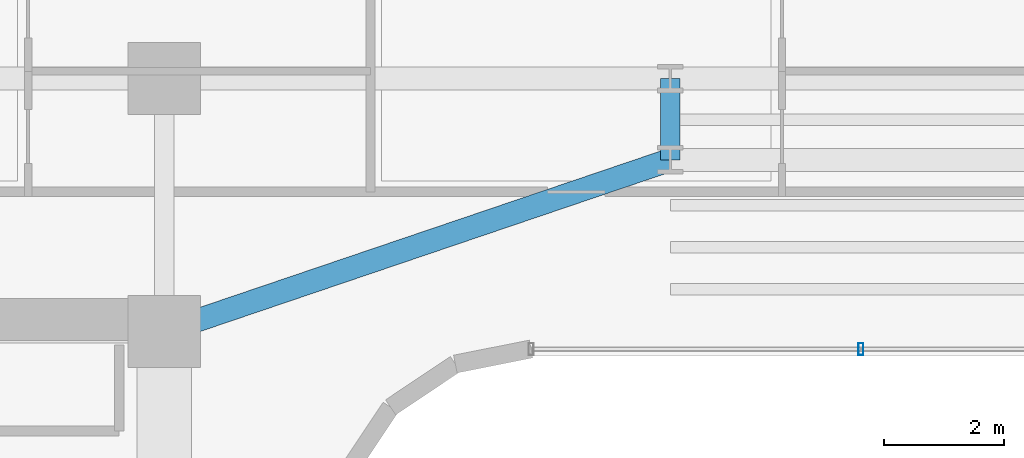
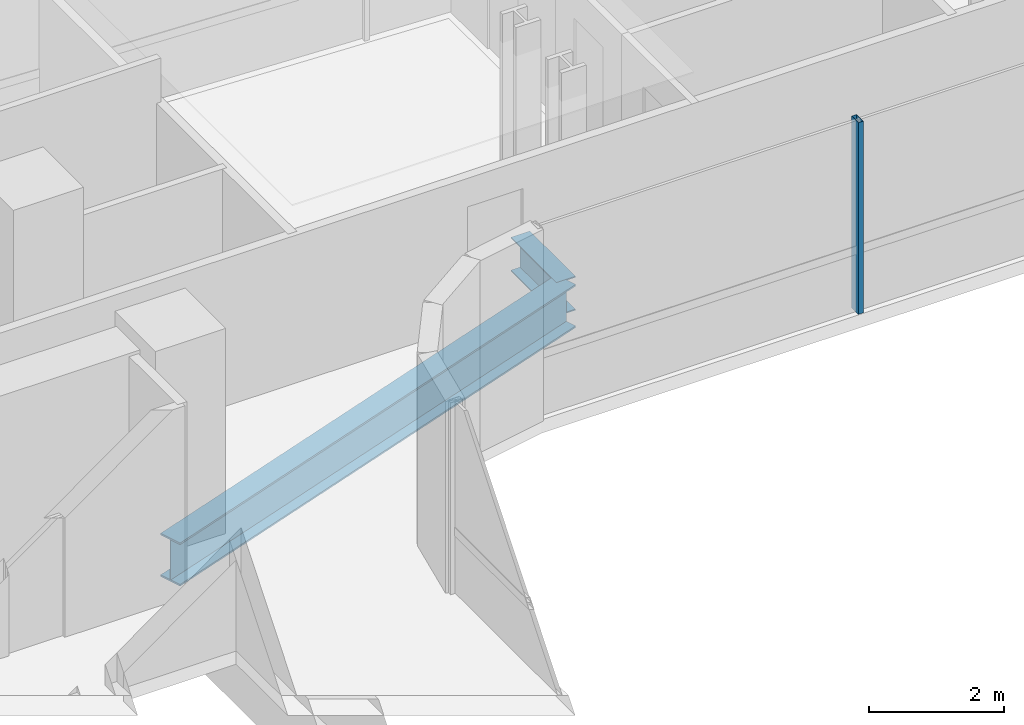
# One storey, part 12 of 37: 2 beams, 1 member, 1 element without a shape of its own.
"""IFC4 building model written with IfcOpenShell, lengths in metres."""

from ifc_helpers import new_model, si_unit, direction, frame, origin, origin_2d, place, context, subcontext, project, spatial, hollow_rectangle, i_section, extrude, source, transform, mapped, material, material_profile, profile_set, type_object, element, aggregate, save


model = new_model("IFC4")

# Units and contexts
model_context = context("Model", 3, precision=1e-05, world=origin(), true_north=direction((0.0, 1.0)))
body_context = subcontext(model_context, "Body", "Model", "MODEL_VIEW")
ifc_project = project(units=[si_unit("LENGTHUNIT", "METRE"), si_unit("AREAUNIT", "SQUARE_METRE"), si_unit("VOLUMEUNIT", "CUBIC_METRE"), si_unit("PLANEANGLEUNIT", "RADIAN"), si_unit("MASSUNIT", "GRAM", prefix="KILO")], contexts=[model_context])

# Site, building, storey
site_placement = place(None, origin())
site = spatial("IfcSite", under=ifc_project, at=site_placement, CompositionType="ELEMENT")
building_placement = place(site_placement, origin())
building = spatial("IfcBuilding", under=site, at=building_placement, Name="Valdorenza Pilgrim Sanctuary Tower", CompositionType="ELEMENT")
storey_placement = place(building_placement, frame((0.0, 0.0, 127.89990234375)))
storey = spatial("IfcBuildingStorey", under=building, at=storey_placement, Name="L32", CompositionType="ELEMENT", Elevation=127.89990234375)

# Beams
ifc_material_1 = material(Name="Steel ASTM A992 Grade 50", Category="steel")
ifc_material_profile_1 = material_profile(ifc_material_1, i_section(OverallWidth=0.323974609375, OverallDepth=0.611083984375, WebThickness=0.0126953125, FlangeThickness=0.01904296875, at=origin_2d()), Name="W24X104")
ifc_profile_set_1 = profile_set([ifc_material_profile_1], Name="Steel ASTM A992 Grade 50")
beam_type_1 = type_object("IfcBeamType", Name="STR-BM-GRD-W24B", PredefinedType="BEAM", material=ifc_profile_set_1)
shared_shape_1 = source(origin(), body_context, "Body", "SweptSolid", [
    extrude(i_section(OverallWidth=0.323974609375, OverallDepth=0.611083984375, WebThickness=0.0126953125, FlangeThickness=0.01904296875, at=origin_2d()), origin(), (0.0, 0.0, 1.0), 1.35009765625),
])
beam_1_placement = place(storey_placement, frame((-4.0, 13.449951171875, -0.54541015625), z_axis=(0.0, 1.0, 0.0), x_axis=(-1.0, 0.0, 0.0)))
element("IfcBeam", 1, at=beam_1_placement, inside=storey, type_object=beam_type_1, Name="L32 Floor Girder KNK-TIE-W", PredefinedType="BEAM", context=body_context, shape_type="MappedRepresentation", body=[
    mapped(shared_shape_1, transform((0.0, 0.0, 0.0), x_axis=(1.0, 0.0, 0.0), y_axis=(0.0, 1.0, 0.0), z_axis=(0.0, 0.0, 1.0), scale=1.0)),
])
ifc_material_profile_2 = material_profile(ifc_material_1, i_section(OverallWidth=0.382080078125, OverallDepth=0.779052734375, WebThickness=0.01806640625, FlangeThickness=0.030029296875, at=origin_2d()), Name="W30X191")
ifc_profile_set_2 = profile_set([ifc_material_profile_2], Name="Steel ASTM A992 Grade 50")
beam_type_2 = type_object("IfcBeamType", Name="STR-BM-GRD-W30", PredefinedType="BEAM", material=ifc_profile_set_2)
shared_shape_2 = source(origin(), body_context, "Body", "SweptSolid", [
    extrude(i_section(OverallWidth=0.382080078125, OverallDepth=0.779052734375, WebThickness=0.01806640625, FlangeThickness=0.030029296875, at=origin_2d()), origin(), (0.0, 0.0, 1.0), 8.8701171875),
])
beam_2_placement = place(storey_placement, frame((-12.39990234375, 10.60009765625, -0.62939453125), z_axis=(0.946982588361, 0.321284885018, 0.0), x_axis=(-0.321284885018, 0.946982588361, 0.0)))
element("IfcBeam", 2, at=beam_2_placement, inside=storey, type_object=beam_type_2, Name="L32 Floor Girder KNK-G1", PredefinedType="BEAM", context=body_context, shape_type="MappedRepresentation", body=[
    mapped(shared_shape_2, transform((0.0, 0.0, 0.0), x_axis=(1.0, 0.0, 0.0), y_axis=(0.0, 1.0, 0.0), z_axis=(0.0, 0.0, 1.0), scale=1.0)),
])

# Curtain wall, member
ifc_material_2 = material(Name="Curtain-wall IGU glazing", Category="glass")
curtain_wall_type = type_object("IfcCurtainWallType", Name="CW-SYS-02", PredefinedType="NOTDEFINED", material=ifc_material_2)
curtain_wall_placement = place(storey_placement, origin())
curtain_wall = element("IfcCurtainWall", 3, at=curtain_wall_placement, inside=storey, type_object=curtain_wall_type, Name="L32 Curtain Wall CW-L32-1-36", PredefinedType="NOTDEFINED")
ifc_material_3 = material(Name="Anodised aluminium AW-6060", Category="aluminium")
ifc_material_profile_3 = material_profile(ifc_material_3, hollow_rectangle(XDim=0.0849609375, YDim=0.199951171875, WallThickness=0.0048828125, at=origin_2d()), Name="ALU-M 200x85x5")
ifc_profile_set_3 = profile_set([ifc_material_profile_3], Name="Anodised aluminium AW-6060")
member_type = type_object("IfcMemberType", Name="CW-MUL-02", PredefinedType="MULLION", material=ifc_profile_set_3)
shared_shape_3 = source(origin(), body_context, "Body", "SweptSolid", [
    extrude(hollow_rectangle(XDim=0.0849609375, YDim=0.199951171875, WallThickness=0.0048828125, at=origin_2d()), origin(), (0.0, 0.0, 1.0), 3.460205078125),
])
member_placement = place(storey_placement, frame((-0.8369140625, 10.31005859375, 0.0), z_axis=(0.0, 0.0, 1.0), x_axis=(-1.0, 0.0, 0.0)))
member = element("IfcMember", 4, at=member_placement, type_object=member_type, Name="CW-L32-1-36 Mullion 3", PredefinedType="MULLION", context=body_context, shape_type="MappedRepresentation", body=[
    mapped(shared_shape_3, transform((0.0, 0.0, 0.0), x_axis=(1.0, 0.0, 0.0), y_axis=(0.0, 1.0, 0.0), z_axis=(0.0, 0.0, 1.0), scale=1.0)),
])
aggregate(curtain_wall, [member])

save(model, "model.ifc")
